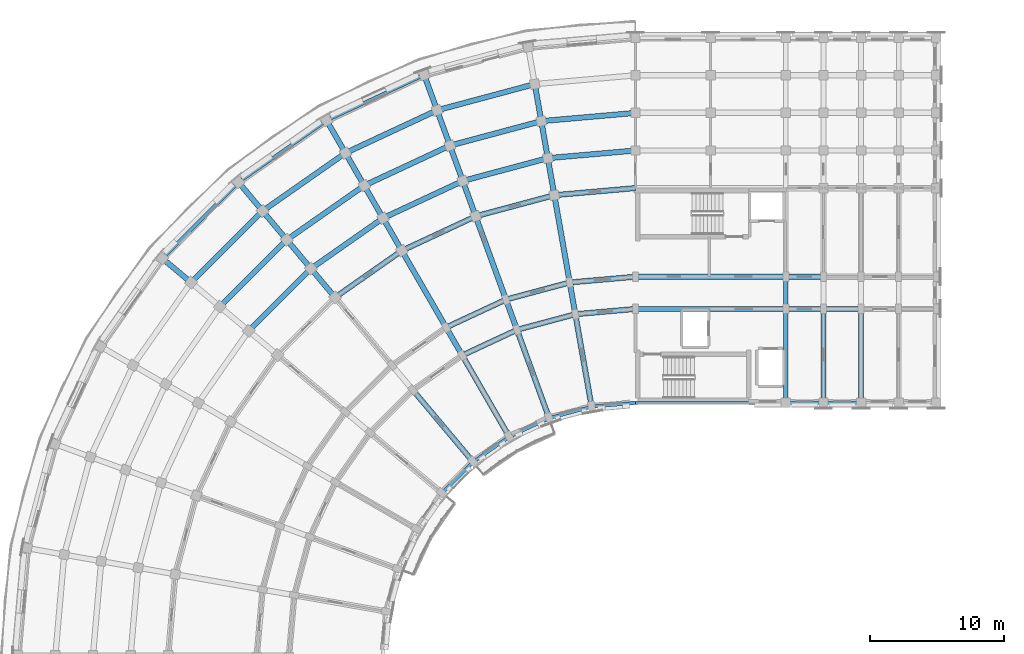
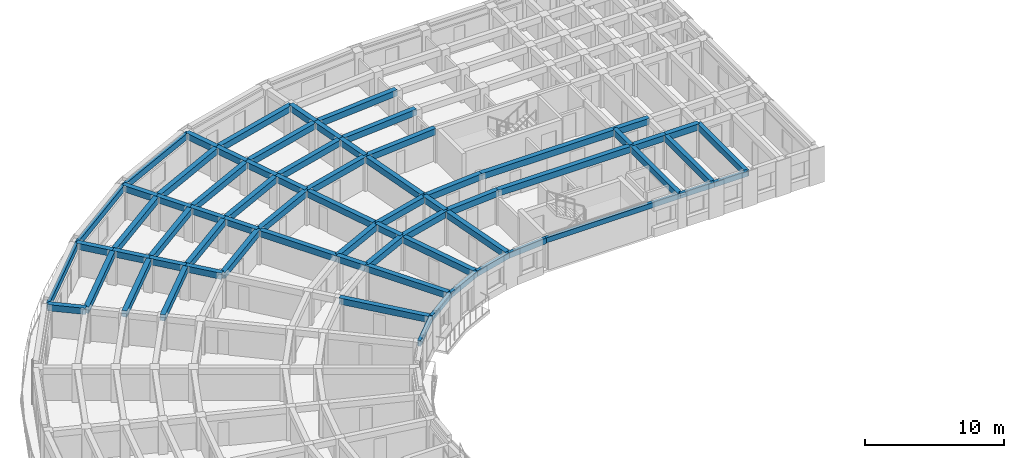
# One storey, part 9 of 57: 70 beams.
"""IFC4 building model written with IfcOpenShell, lengths in metres."""

from ifc_helpers import new_model, si_unit, direction, frame, origin, origin_2d, place, context, subcontext, project, spatial, rectangle, extrude, material, material_profile, profile_set, type_object, element, save


model = new_model("IFC4")

# Units and contexts
model_context = context("Model", 3, precision=1e-05, world=origin(), true_north=direction((0.0, 1.0)))
body_context = subcontext(model_context, "Body", "Model", "MODEL_VIEW")
ifc_project = project(units=[si_unit("LENGTHUNIT", "METRE"), si_unit("AREAUNIT", "SQUARE_METRE"), si_unit("VOLUMEUNIT", "CUBIC_METRE"), si_unit("PLANEANGLEUNIT", "RADIAN"), si_unit("MASSUNIT", "GRAM", prefix="KILO")], contexts=[model_context])

# Site, building, storey
site_placement = place(None, origin())
site = spatial("IfcSite", under=ifc_project, at=site_placement, CompositionType="ELEMENT")
building_placement = place(site_placement, origin())
building = spatial("IfcBuilding", under=site, at=building_placement, Name="Kiranvali Square Residences", CompositionType="ELEMENT")
storey_placement = place(building_placement, frame((0.0, 0.0, 18.14990234375)))
storey = spatial("IfcBuildingStorey", under=building, at=storey_placement, Name="L05", CompositionType="ELEMENT", Elevation=18.14990234375)

# Beams
ifc_material_1 = material(Name="Concrete M40 (40 MPa)", Category="concrete")
ifc_material_profile_1 = material_profile(ifc_material_1, rectangle(XDim=0.35009765625, YDim=0.550048828125, at=origin_2d()), Name="RC 350x550")
ifc_profile_set_1 = profile_set([ifc_material_profile_1], Name="Concrete M40 (40 MPa)")
beam_type_1 = type_object("IfcBeamType", Name="BM-M40-350x550", PredefinedType="BEAM", material=ifc_profile_set_1)
beam_1_placement = place(storey_placement, frame((59.39990234375, 106.60009765625, 2.655029296875), z_axis=(0.0, 1.0, 0.0), x_axis=(-1.0, 0.0, 0.0)))
element("IfcBeam", 1, at=beam_1_placement, inside=storey, type_object=beam_type_1, Name="L05 beam BM-A-L05-A1T1-01", PredefinedType="BEAM", context=body_context, shape_type="SweptSolid", body=[
    extrude(rectangle(XDim=0.35009765625, YDim=0.550048828125, at=origin_2d()), origin(), (0.0, 0.0, 1.0), 7.0),
])
beam_2_placement = place(storey_placement, frame((59.39990234375, 113.60009765625, 2.655029296875), z_axis=(0.0, 1.0, 0.0), x_axis=(-1.0, 0.0, 0.0)))
element("IfcBeam", 2, at=beam_2_placement, inside=storey, type_object=beam_type_1, Name="L05 beam BM-A-L05-A1T1-12", PredefinedType="BEAM", context=body_context, shape_type="SweptSolid", body=[
    extrude(rectangle(XDim=0.35009765625, YDim=0.550048828125, at=origin_2d()), origin(), (0.0, 0.0, 1.0), 2.39990234375),
])
for number, where, z_axis, x_axis, name in (
    (3, (62.199951171875, 106.60009765625, 2.655029296875), (0.0, 1.0, 0.0), (-1.0, 0.0, 0.0), "L05 beam BM-A-L05-A1T2-01"),
    (4, (65.0, 106.60009765625, 2.655029296875), (0.0, 1.0, 0.0), (-1.0, 0.0, 0.0), "L05 beam BM-A-L05-A1T3-01"),
):
    element("IfcBeam", number, at=place(storey_placement, frame(where, z_axis=z_axis, x_axis=x_axis)), inside=storey, type_object=beam_type_1, Name=name, PredefinedType="BEAM", context=body_context, shape_type="SweptSolid", body=[
        extrude(rectangle(XDim=0.35009765625, YDim=0.550048828125, at=origin_2d()), origin(), (0.0, 0.0, 1.0), 7.0),
    ])
ifc_material_2 = material(Name="Concrete M45 (45 MPa)", Category="concrete")
ifc_material_profile_2 = material_profile(ifc_material_2, rectangle(XDim=0.39990234375, YDim=0.550048828125, at=origin_2d()), Name="RC 400x550")
ifc_profile_set_2 = profile_set([ifc_material_profile_2], Name="Concrete M45 (45 MPa)")
beam_type_2 = type_object("IfcBeamType", Name="BM-M45-400x550", PredefinedType="BEAM", material=ifc_profile_set_2)
beam_3_placement = place(storey_placement, frame((48.199951171875, 113.60009765625, 2.655029296875), z_axis=(-0.996191949488, -0.087187153726, 0.0), x_axis=(0.087187153726, -0.996191949488, 0.0)))
element("IfcBeam", 5, at=beam_3_placement, inside=storey, type_object=beam_type_2, Name="L05 beam BM-A-L05-C00-R1", PredefinedType="BEAM", context=body_context, shape_type="SweptSolid", body=[
    extrude(rectangle(XDim=0.39990234375, YDim=0.550048828125, at=origin_2d()), origin(), (0.0, 0.0, 1.0), 4.4970703125),
])
beam_4_placement = place(storey_placement, frame((48.199951171875, 116.0, 2.655029296875), z_axis=(-0.996193663584, -0.087167566415, 0.0), x_axis=(0.087167566415, -0.996193663584, 0.0)))
element("IfcBeam", 6, at=beam_4_placement, inside=storey, type_object=beam_type_2, Name="L05 beam BM-A-L05-C00-R2", PredefinedType="BEAM", context=body_context, shape_type="SweptSolid", body=[
    extrude(rectangle(XDim=0.39990234375, YDim=0.550048828125, at=origin_2d()), origin(), (0.0, 0.0, 1.0), 4.91552734375),
])
beam_5_placement = place(storey_placement, frame((48.199951171875, 122.60009765625, 2.655029296875), z_axis=(-0.996193018494, -0.087174938512, 0.0), x_axis=(0.087174938512, -0.996193018494, 0.0)))
element("IfcBeam", 7, at=beam_5_placement, inside=storey, type_object=beam_type_2, Name="L05 beam BM-A-L05-C00-R3", PredefinedType="BEAM", context=body_context, shape_type="SweptSolid", body=[
    extrude(rectangle(XDim=0.39990234375, YDim=0.550048828125, at=origin_2d()), origin(), (0.0, 0.0, 1.0), 6.066162109375),
])
beam_6_placement = place(storey_placement, frame((48.199951171875, 125.39990234375, 2.655029296875), z_axis=(-0.996196991902, -0.0871295204, 0.0), x_axis=(0.0871295204, -0.996196991902, 0.0)))
element("IfcBeam", 8, at=beam_6_placement, inside=storey, type_object=beam_type_2, Name="L05 beam BM-A-L05-C00-R4", PredefinedType="BEAM", context=body_context, shape_type="SweptSolid", body=[
    extrude(rectangle(XDim=0.39990234375, YDim=0.550048828125, at=origin_2d()), origin(), (0.0, 0.0, 1.0), 6.553955078125),
])
beam_7_placement = place(storey_placement, frame((48.199951171875, 128.199951171875, 2.655029296875), z_axis=(-0.996194658198, -0.087156198737, 0.0), x_axis=(0.087156198737, -0.996194658198, 0.0)))
element("IfcBeam", 9, at=beam_7_placement, inside=storey, type_object=beam_type_2, Name="L05 beam BM-A-L05-C00-R5", PredefinedType="BEAM", context=body_context, shape_type="SweptSolid", body=[
    extrude(rectangle(XDim=0.39990234375, YDim=0.550048828125, at=origin_2d()), origin(), (0.0, 0.0, 1.0), 7.042236328125),
])
beam_8_placement = place(storey_placement, frame((43.719970703125, 113.2080078125, 2.655029296875), z_axis=(-0.965934240054, -0.258787642463, 0.0), x_axis=(0.258787642463, -0.965934240054, 0.0)))
element("IfcBeam", 10, at=beam_8_placement, inside=storey, type_object=beam_type_2, Name="L05 beam BM-A-L05-C01-R1", PredefinedType="BEAM", context=body_context, shape_type="SweptSolid", body=[
    extrude(rectangle(XDim=0.39990234375, YDim=0.550048828125, at=origin_2d()), origin(), (0.0, 0.0, 1.0), 4.497314453125),
])
beam_9_placement = place(storey_placement, frame((43.30322265625, 115.571533203125, 2.655029296875), z_axis=(-0.965930095386, -0.258803112091, 0.0), x_axis=(0.258803112091, -0.965930095386, 0.0)))
element("IfcBeam", 11, at=beam_9_placement, inside=storey, type_object=beam_type_2, Name="L05 beam BM-A-L05-C01-R2", PredefinedType="BEAM", context=body_context, shape_type="SweptSolid", body=[
    extrude(rectangle(XDim=0.39990234375, YDim=0.550048828125, at=origin_2d()), origin(), (0.0, 0.0, 1.0), 4.915771484375),
])
beam_10_placement = place(storey_placement, frame((42.156982421875, 122.0712890625, 2.655029296875), z_axis=(-0.965923618901, -0.258827283048, 0.0), x_axis=(0.258827283048, -0.965923618901, 0.0)))
element("IfcBeam", 12, at=beam_10_placement, inside=storey, type_object=beam_type_2, Name="L05 beam BM-A-L05-C01-R3", PredefinedType="BEAM", context=body_context, shape_type="SweptSolid", body=[
    extrude(rectangle(XDim=0.39990234375, YDim=0.550048828125, at=origin_2d()), origin(), (0.0, 0.0, 1.0), 6.066162109375),
])
beam_11_placement = place(storey_placement, frame((41.6708984375, 124.828857421875, 2.655029296875), z_axis=(-0.965918287583, -0.258847178297, 0.0), x_axis=(0.258847178297, -0.965918287583, 0.0)))
element("IfcBeam", 13, at=beam_11_placement, inside=storey, type_object=beam_type_2, Name="L05 beam BM-A-L05-C01-R4", PredefinedType="BEAM", context=body_context, shape_type="SweptSolid", body=[
    extrude(rectangle(XDim=0.39990234375, YDim=0.550048828125, at=origin_2d()), origin(), (0.0, 0.0, 1.0), 6.55419921875),
])
beam_12_placement = place(storey_placement, frame((41.1845703125, 127.586181640625, 2.655029296875), z_axis=(-0.965931029817, -0.258799624492, 0.0), x_axis=(0.258799624492, -0.965931029817, 0.0)))
element("IfcBeam", 14, at=beam_12_placement, inside=storey, type_object=beam_type_2, Name="L05 beam BM-A-L05-C01-R5", PredefinedType="BEAM", context=body_context, shape_type="SweptSolid", body=[
    extrude(rectangle(XDim=0.39990234375, YDim=0.550048828125, at=origin_2d()), origin(), (0.0, 0.0, 1.0), 7.042236328125),
])
beam_13_placement = place(storey_placement, frame((40.698486328125, 130.34375, 2.655029296875), z_axis=(-0.965925909693, -0.258818733833, 0.0), x_axis=(0.258818733833, -0.965925909693, 0.0)))
element("IfcBeam", 15, at=beam_13_placement, inside=storey, type_object=beam_type_2, Name="L05 beam BM-A-L05-C01-R6", PredefinedType="BEAM", context=body_context, shape_type="SweptSolid", body=[
    extrude(rectangle(XDim=0.39990234375, YDim=0.550048828125, at=origin_2d()), origin(), (0.0, 0.0, 1.0), 7.5302734375),
])
beam_14_placement = place(storey_placement, frame((39.3759765625, 112.044189453125, 2.655029296875), z_axis=(-0.906307919131, -0.422617978463, 0.0), x_axis=(0.422617978463, -0.906307919131, 0.0)))
element("IfcBeam", 16, at=beam_14_placement, inside=storey, type_object=beam_type_2, Name="L05 beam BM-A-L05-C02-R1", PredefinedType="BEAM", context=body_context, shape_type="SweptSolid", body=[
    extrude(rectangle(XDim=0.39990234375, YDim=0.550048828125, at=origin_2d()), origin(), (0.0, 0.0, 1.0), 4.497314453125),
])
beam_15_placement = place(storey_placement, frame((38.554931640625, 114.29931640625, 2.655029296875), z_axis=(-0.906302381024, -0.422629854778, 0.0), x_axis=(0.422629854778, -0.906302381024, 0.0)))
element("IfcBeam", 17, at=beam_15_placement, inside=storey, type_object=beam_type_2, Name="L05 beam BM-A-L05-C02-R2", PredefinedType="BEAM", context=body_context, shape_type="SweptSolid", body=[
    extrude(rectangle(XDim=0.39990234375, YDim=0.550048828125, at=origin_2d()), origin(), (0.0, 0.0, 1.0), 4.915283203125),
])
beam_16_placement = place(storey_placement, frame((36.297607421875, 120.501220703125, 2.655029296875), z_axis=(-0.906312656069, -0.42260781991, 0.0), x_axis=(0.42260781991, -0.906312656069, 0.0)))
element("IfcBeam", 18, at=beam_16_placement, inside=storey, type_object=beam_type_2, Name="L05 beam BM-A-L05-C02-R3", PredefinedType="BEAM", context=body_context, shape_type="SweptSolid", body=[
    extrude(rectangle(XDim=0.39990234375, YDim=0.550048828125, at=origin_2d()), origin(), (0.0, 0.0, 1.0), 6.06591796875),
])
beam_17_placement = place(storey_placement, frame((35.340087890625, 123.13232421875, 2.655029296875), z_axis=(-0.906318225223, -0.422595876255, 0.0), x_axis=(0.422595876255, -0.906318225223, 0.0)))
element("IfcBeam", 19, at=beam_17_placement, inside=storey, type_object=beam_type_2, Name="L05 beam BM-A-L05-C02-R4", PredefinedType="BEAM", context=body_context, shape_type="SweptSolid", body=[
    extrude(rectangle(XDim=0.39990234375, YDim=0.550048828125, at=origin_2d()), origin(), (0.0, 0.0, 1.0), 6.55419921875),
])
beam_18_placement = place(storey_placement, frame((34.38232421875, 125.763671875, 2.655029296875), z_axis=(-0.906297360311, -0.422640621205, 0.0), x_axis=(0.422640621205, -0.906297360311, 0.0)))
element("IfcBeam", 20, at=beam_18_placement, inside=storey, type_object=beam_type_2, Name="L05 beam BM-A-L05-C02-R5", PredefinedType="BEAM", context=body_context, shape_type="SweptSolid", body=[
    extrude(rectangle(XDim=0.39990234375, YDim=0.550048828125, at=origin_2d()), origin(), (0.0, 0.0, 1.0), 7.042236328125),
])
beam_19_placement = place(storey_placement, frame((33.4248046875, 128.394775390625, 2.655029296875), z_axis=(-0.90630982703, -0.422613886933, 0.0), x_axis=(0.422613886933, -0.90630982703, 0.0)))
element("IfcBeam", 21, at=beam_19_placement, inside=storey, type_object=beam_type_2, Name="L05 beam BM-A-L05-C02-R6", PredefinedType="BEAM", context=body_context, shape_type="SweptSolid", body=[
    extrude(rectangle(XDim=0.39990234375, YDim=0.550048828125, at=origin_2d()), origin(), (0.0, 0.0, 1.0), 7.5302734375),
])
beam_20_placement = place(storey_placement, frame((30.800048828125, 117.937744140625, 2.655029296875), z_axis=(-0.81913926159, -0.573594691504, 0.0), x_axis=(0.573594691504, -0.81913926159, 0.0)))
element("IfcBeam", 22, at=beam_20_placement, inside=storey, type_object=beam_type_2, Name="L05 beam BM-A-L05-C03-R3", PredefinedType="BEAM", context=body_context, shape_type="SweptSolid", body=[
    extrude(rectangle(XDim=0.39990234375, YDim=0.550048828125, at=origin_2d()), origin(), (0.0, 0.0, 1.0), 6.066162109375),
])
beam_21_placement = place(storey_placement, frame((29.39990234375, 120.362548828125, 2.655029296875), z_axis=(-0.819144409176, -0.573587340268, 0.0), x_axis=(0.573587340268, -0.819144409176, 0.0)))
element("IfcBeam", 23, at=beam_21_placement, inside=storey, type_object=beam_type_2, Name="L05 beam BM-A-L05-C03-R4", PredefinedType="BEAM", context=body_context, shape_type="SweptSolid", body=[
    extrude(rectangle(XDim=0.39990234375, YDim=0.550048828125, at=origin_2d()), origin(), (0.0, 0.0, 1.0), 6.553955078125),
])
beam_22_placement = place(storey_placement, frame((28.0, 122.787353515625, 2.655029296875), z_axis=(-0.819160249246, -0.57356471828, 0.0), x_axis=(0.57356471828, -0.819160249246, 0.0)))
element("IfcBeam", 24, at=beam_22_placement, inside=storey, type_object=beam_type_2, Name="L05 beam BM-A-L05-C03-R5", PredefinedType="BEAM", context=body_context, shape_type="SweptSolid", body=[
    extrude(rectangle(XDim=0.39990234375, YDim=0.550048828125, at=origin_2d()), origin(), (0.0, 0.0, 1.0), 7.0419921875),
])
beam_23_placement = place(storey_placement, frame((26.60009765625, 125.21240234375, 2.655029296875), z_axis=(-0.819143569597, -0.573588539275, 0.0), x_axis=(0.573588539275, -0.819143569597, 0.0)))
element("IfcBeam", 25, at=beam_23_placement, inside=storey, type_object=beam_type_2, Name="L05 beam BM-A-L05-C03-R6", PredefinedType="BEAM", context=body_context, shape_type="SweptSolid", body=[
    extrude(rectangle(XDim=0.39990234375, YDim=0.550048828125, at=origin_2d()), origin(), (0.0, 0.0, 1.0), 7.5302734375),
])
beam_24_placement = place(storey_placement, frame((24.03125, 116.603271484375, 2.655029296875), z_axis=(-0.707106781187, -0.707106781187, 0.0), x_axis=(0.707106781187, -0.707106781187, 0.0)))
element("IfcBeam", 26, at=beam_24_placement, inside=storey, type_object=beam_type_2, Name="L05 beam BM-A-L05-C04-R4", PredefinedType="BEAM", context=body_context, shape_type="SweptSolid", body=[
    extrude(rectangle(XDim=0.39990234375, YDim=0.550048828125, at=origin_2d()), origin(), (0.0, 0.0, 1.0), 6.55419921875),
])
beam_25_placement = place(storey_placement, frame((22.2314453125, 118.748291015625, 2.655029296875), z_axis=(-0.707106781187, -0.707106781187, 0.0), x_axis=(0.707106781187, -0.707106781187, 0.0)))
element("IfcBeam", 27, at=beam_25_placement, inside=storey, type_object=beam_type_2, Name="L05 beam BM-A-L05-C04-R5", PredefinedType="BEAM", context=body_context, shape_type="SweptSolid", body=[
    extrude(rectangle(XDim=0.39990234375, YDim=0.550048828125, at=origin_2d()), origin(), (0.0, 0.0, 1.0), 7.04248046875),
])
beam_26_placement = place(storey_placement, frame((20.431640625, 120.89306640625, 2.655029296875), z_axis=(-0.707106781187, -0.707106781187, 0.0), x_axis=(0.707106781187, -0.707106781187, 0.0)))
element("IfcBeam", 28, at=beam_26_placement, inside=storey, type_object=beam_type_2, Name="L05 beam BM-A-L05-C04-R6", PredefinedType="BEAM", context=body_context, shape_type="SweptSolid", body=[
    extrude(rectangle(XDim=0.39990234375, YDim=0.550048828125, at=origin_2d()), origin(), (0.0, 0.0, 1.0), 7.5302734375),
])
beam_27_placement = place(storey_placement, frame((44.935302734375, 106.314453125, 2.655029296875), z_axis=(-0.173622177865, 0.984812337125, 0.0), x_axis=(-0.984812337125, -0.173622177865, 0.0)))
element("IfcBeam", 29, at=beam_27_placement, inside=storey, type_object=beam_type_2, Name="L05 beam BM-A-L05-RAD01-01", PredefinedType="BEAM", context=body_context, shape_type="SweptSolid", body=[
    extrude(rectangle(XDim=0.39990234375, YDim=0.550048828125, at=origin_2d()), origin(), (0.0, 0.0, 1.0), 6.999755859375),
])
beam_28_placement = place(storey_placement, frame((43.719970703125, 113.2080078125, 2.655029296875), z_axis=(-0.173646056486, 0.984808127031, 0.0), x_axis=(-0.984808127031, -0.173646056486, 0.0)))
element("IfcBeam", 30, at=beam_28_placement, inside=storey, type_object=beam_type_2, Name="L05 beam BM-A-L05-RAD01-12", PredefinedType="BEAM", context=body_context, shape_type="SweptSolid", body=[
    extrude(rectangle(XDim=0.39990234375, YDim=0.550048828125, at=origin_2d()), origin(), (0.0, 0.0, 1.0), 2.39990234375),
])
beam_29_placement = place(storey_placement, frame((43.30322265625, 115.571533203125, 2.655029296875), z_axis=(-0.173671381499, 0.984803661269, 0.0), x_axis=(-0.984803661269, -0.173671381499, 0.0)))
element("IfcBeam", 31, at=beam_29_placement, inside=storey, type_object=beam_type_2, Name="L05 beam BM-A-L05-RAD01-23", PredefinedType="BEAM", context=body_context, shape_type="SweptSolid", body=[
    extrude(rectangle(XDim=0.39990234375, YDim=0.550048828125, at=origin_2d()), origin(), (0.0, 0.0, 1.0), 6.60009765625),
])
beam_30_placement = place(storey_placement, frame((42.156982421875, 122.0712890625, 2.655029296875), z_axis=(-0.173596320392, 0.984816895441, 0.0), x_axis=(-0.984816895441, -0.173596320392, 0.0)))
element("IfcBeam", 32, at=beam_30_placement, inside=storey, type_object=beam_type_2, Name="L05 beam BM-A-L05-RAD01-34", PredefinedType="BEAM", context=body_context, shape_type="SweptSolid", body=[
    extrude(rectangle(XDim=0.39990234375, YDim=0.550048828125, at=origin_2d()), origin(), (0.0, 0.0, 1.0), 2.800048828125),
])
beam_31_placement = place(storey_placement, frame((41.6708984375, 124.828857421875, 2.655029296875), z_axis=(-0.173695795656, 0.984799355489, 0.0), x_axis=(-0.984799355489, -0.173695795656, 0.0)))
element("IfcBeam", 33, at=beam_31_placement, inside=storey, type_object=beam_type_2, Name="L05 beam BM-A-L05-RAD01-45", PredefinedType="BEAM", context=body_context, shape_type="SweptSolid", body=[
    extrude(rectangle(XDim=0.39990234375, YDim=0.550048828125, at=origin_2d()), origin(), (0.0, 0.0, 1.0), 2.7998046875),
])
beam_32_placement = place(storey_placement, frame((41.1845703125, 127.586181640625, 2.655029296875), z_axis=(-0.173596320392, 0.984816895441, 0.0), x_axis=(-0.984816895441, -0.173596320392, 0.0)))
element("IfcBeam", 34, at=beam_32_placement, inside=storey, type_object=beam_type_2, Name="L05 beam BM-A-L05-RAD01-56", PredefinedType="BEAM", context=body_context, shape_type="SweptSolid", body=[
    extrude(rectangle(XDim=0.39990234375, YDim=0.550048828125, at=origin_2d()), origin(), (0.0, 0.0, 1.0), 2.800048828125),
])
beam_33_placement = place(storey_placement, frame((41.77001953125, 105.46630859375, 2.655029296875), z_axis=(-0.342006283793, 0.939697665127, 0.0), x_axis=(-0.939697665127, -0.342006283793, 0.0)))
element("IfcBeam", 35, at=beam_33_placement, inside=storey, type_object=beam_type_2, Name="L05 beam BM-A-L05-RAD02-01", PredefinedType="BEAM", context=body_context, shape_type="SweptSolid", body=[
    extrude(rectangle(XDim=0.39990234375, YDim=0.550048828125, at=origin_2d()), origin(), (0.0, 0.0, 1.0), 7.0),
])
beam_34_placement = place(storey_placement, frame((39.3759765625, 112.044189453125, 2.655029296875), z_axis=(-0.342110593602, 0.939659694648, 0.0), x_axis=(-0.939659694648, -0.342110593602, 0.0)))
element("IfcBeam", 36, at=beam_34_placement, inside=storey, type_object=beam_type_2, Name="L05 beam BM-A-L05-RAD02-12", PredefinedType="BEAM", context=body_context, shape_type="SweptSolid", body=[
    extrude(rectangle(XDim=0.39990234375, YDim=0.550048828125, at=origin_2d()), origin(), (0.0, 0.0, 1.0), 2.39990234375),
])
beam_35_placement = place(storey_placement, frame((38.554931640625, 114.29931640625, 2.655029296875), z_axis=(-0.342022238372, 0.939691858249, 0.0), x_axis=(-0.939691858249, -0.342022238372, 0.0)))
element("IfcBeam", 37, at=beam_35_placement, inside=storey, type_object=beam_type_2, Name="L05 beam BM-A-L05-RAD02-23", PredefinedType="BEAM", context=body_context, shape_type="SweptSolid", body=[
    extrude(rectangle(XDim=0.39990234375, YDim=0.550048828125, at=origin_2d()), origin(), (0.0, 0.0, 1.0), 6.599853515625),
])
beam_36_placement = place(storey_placement, frame((36.297607421875, 120.501220703125, 2.655029296875), z_axis=(-0.341981089711, 0.93970683422, 0.0), x_axis=(-0.93970683422, -0.341981089711, 0.0)))
element("IfcBeam", 38, at=beam_36_placement, inside=storey, type_object=beam_type_2, Name="L05 beam BM-A-L05-RAD02-34", PredefinedType="BEAM", context=body_context, shape_type="SweptSolid", body=[
    extrude(rectangle(XDim=0.39990234375, YDim=0.550048828125, at=origin_2d()), origin(), (0.0, 0.0, 1.0), 2.7998046875),
])
beam_37_placement = place(storey_placement, frame((35.340087890625, 123.13232421875, 2.655029296875), z_axis=(-0.342030060398, 0.939689011208, 0.0), x_axis=(-0.939689011208, -0.342030060398, 0.0)))
element("IfcBeam", 39, at=beam_37_placement, inside=storey, type_object=beam_type_2, Name="L05 beam BM-A-L05-RAD02-45", PredefinedType="BEAM", context=body_context, shape_type="SweptSolid", body=[
    extrude(rectangle(XDim=0.39990234375, YDim=0.550048828125, at=origin_2d()), origin(), (0.0, 0.0, 1.0), 2.80029296875),
])
beam_38_placement = place(storey_placement, frame((34.38232421875, 125.763671875, 2.655029296875), z_axis=(-0.341981089711, 0.93970683422, 0.0), x_axis=(-0.93970683422, -0.341981089711, 0.0)))
element("IfcBeam", 40, at=beam_38_placement, inside=storey, type_object=beam_type_2, Name="L05 beam BM-A-L05-RAD02-56", PredefinedType="BEAM", context=body_context, shape_type="SweptSolid", body=[
    extrude(rectangle(XDim=0.39990234375, YDim=0.550048828125, at=origin_2d()), origin(), (0.0, 0.0, 1.0), 2.7998046875),
])
beam_39_placement = place(storey_placement, frame((33.4248046875, 128.394775390625, 2.655029296875), z_axis=(-0.342058084236, 0.939678810556, 0.0), x_axis=(-0.939678810556, -0.342058084236, 0.0)))
element("IfcBeam", 41, at=beam_39_placement, inside=storey, type_object=beam_type_2, Name="L05 beam BM-A-L05-RAD02-67", PredefinedType="BEAM", context=body_context, shape_type="SweptSolid", body=[
    extrude(rectangle(XDim=0.39990234375, YDim=0.550048828125, at=origin_2d()), origin(), (0.0, 0.0, 1.0), 2.800048828125),
])
beam_40_placement = place(storey_placement, frame((38.800048828125, 104.081298828125, 2.655029296875), z_axis=(-0.499995173006, 0.866028190633, 0.0), x_axis=(-0.866028190633, -0.499995173006, 0.0)))
element("IfcBeam", 42, at=beam_40_placement, inside=storey, type_object=beam_type_2, Name="L05 beam BM-A-L05-RAD03-01", PredefinedType="BEAM", context=body_context, shape_type="SweptSolid", body=[
    extrude(rectangle(XDim=0.39990234375, YDim=0.550048828125, at=origin_2d()), origin(), (0.0, 0.0, 1.0), 7.0),
])
beam_41_placement = place(storey_placement, frame((35.300048828125, 110.1435546875, 2.655029296875), z_axis=(-0.500001309137, 0.866024647952, 0.0), x_axis=(-0.866024647952, -0.500001309137, 0.0)))
element("IfcBeam", 43, at=beam_41_placement, inside=storey, type_object=beam_type_2, Name="L05 beam BM-A-L05-RAD03-12", PredefinedType="BEAM", context=body_context, shape_type="SweptSolid", body=[
    extrude(rectangle(XDim=0.39990234375, YDim=0.550048828125, at=origin_2d()), origin(), (0.0, 0.0, 1.0), 2.39990234375),
])
beam_42_placement = place(storey_placement, frame((34.10009765625, 112.221923828125, 2.655029296875), z_axis=(-0.500002094529, 0.866024194504, 0.0), x_axis=(-0.866024194504, -0.500002094529, 0.0)))
element("IfcBeam", 44, at=beam_42_placement, inside=storey, type_object=beam_type_2, Name="L05 beam BM-A-L05-RAD03-23", PredefinedType="BEAM", context=body_context, shape_type="SweptSolid", body=[
    extrude(rectangle(XDim=0.39990234375, YDim=0.550048828125, at=origin_2d()), origin(), (0.0, 0.0, 1.0), 6.60009765625),
])
beam_43_placement = place(storey_placement, frame((30.800048828125, 117.937744140625, 2.655029296875), z_axis=(-0.500049511043, 0.865996816683, 0.0), x_axis=(-0.865996816683, -0.500049511043, 0.0)))
element("IfcBeam", 45, at=beam_43_placement, inside=storey, type_object=beam_type_2, Name="L05 beam BM-A-L05-RAD03-34", PredefinedType="BEAM", context=body_context, shape_type="SweptSolid", body=[
    extrude(rectangle(XDim=0.39990234375, YDim=0.550048828125, at=origin_2d()), origin(), (0.0, 0.0, 1.0), 2.800048828125),
])
beam_44_placement = place(storey_placement, frame((29.39990234375, 120.362548828125, 2.655029296875), z_axis=(-0.49998411664, 0.866034573852, 0.0), x_axis=(-0.866034573852, -0.49998411664, 0.0)))
element("IfcBeam", 46, at=beam_44_placement, inside=storey, type_object=beam_type_2, Name="L05 beam BM-A-L05-RAD03-45", PredefinedType="BEAM", context=body_context, shape_type="SweptSolid", body=[
    extrude(rectangle(XDim=0.39990234375, YDim=0.550048828125, at=origin_2d()), origin(), (0.0, 0.0, 1.0), 2.7998046875),
])
for number, where, z_axis, x_axis, name in (
    (47, (28.0, 122.787353515625, 2.655029296875), (-0.49994636267, 0.866056369097, 0.0), (-0.866056369097, -0.49994636267, 0.0), "L05 beam BM-A-L05-RAD03-56"),
    (48, (26.60009765625, 125.21240234375, 2.655029296875), (-0.500049511043, 0.865996816683, 0.0), (-0.865996816683, -0.500049511043, 0.0), "L05 beam BM-A-L05-RAD03-67"),
):
    element("IfcBeam", number, at=place(storey_placement, frame(where, z_axis=z_axis, x_axis=x_axis)), inside=storey, type_object=beam_type_2, Name=name, PredefinedType="BEAM", context=body_context, shape_type="SweptSolid", body=[
        extrude(rectangle(XDim=0.39990234375, YDim=0.550048828125, at=origin_2d()), origin(), (0.0, 0.0, 1.0), 2.800048828125),
    ])
beam_45_placement = place(storey_placement, frame((36.115478515625, 102.20166015625, 2.655029296875), z_axis=(-0.642787931032, 0.766044173478, 0.0), x_axis=(-0.766044173478, -0.642787931032, 0.0)))
element("IfcBeam", 49, at=beam_45_placement, inside=storey, type_object=beam_type_2, Name="L05 beam BM-A-L05-RAD04-01", PredefinedType="BEAM", context=body_context, shape_type="SweptSolid", body=[
    extrude(rectangle(XDim=0.39990234375, YDim=0.550048828125, at=origin_2d()), origin(), (0.0, 0.0, 1.0), 7.0),
])
for number, where, z_axis, x_axis, name in (
    (50, (25.8310546875, 114.458251953125, 2.655029296875), (-0.642770757628, 0.766058583359, 0.0), (-0.766058583359, -0.642770757628, 0.0), "L05 beam BM-A-L05-RAD04-34"),
    (51, (24.03125, 116.603271484375, 2.655029296875), (-0.642770757628, 0.766058583359, 0.0), (-0.766058583359, -0.642770757628, 0.0), "L05 beam BM-A-L05-RAD04-45"),
):
    element("IfcBeam", number, at=place(storey_placement, frame(where, z_axis=z_axis, x_axis=x_axis)), inside=storey, type_object=beam_type_2, Name=name, PredefinedType="BEAM", context=body_context, shape_type="SweptSolid", body=[
        extrude(rectangle(XDim=0.39990234375, YDim=0.550048828125, at=origin_2d()), origin(), (0.0, 0.0, 1.0), 2.800048828125),
    ])
beam_46_placement = place(storey_placement, frame((22.2314453125, 118.748291015625, 2.655029296875), z_axis=(-0.642813692253, 0.76602255649, 0.0), x_axis=(-0.76602255649, -0.642813692253, 0.0)))
element("IfcBeam", 52, at=beam_46_placement, inside=storey, type_object=beam_type_2, Name="L05 beam BM-A-L05-RAD04-56", PredefinedType="BEAM", context=body_context, shape_type="SweptSolid", body=[
    extrude(rectangle(XDim=0.39990234375, YDim=0.550048828125, at=origin_2d()), origin(), (0.0, 0.0, 1.0), 2.7998046875),
])
for number, where, z_axis, x_axis, name in (
    (53, (20.431640625, 120.89306640625, 2.655029296875), (-0.642770757628, 0.766058583359, 0.0), (-0.766058583359, -0.642770757628, 0.0), "L05 beam BM-A-L05-RAD04-67"),
    (54, (15.10693359375, 115.568359375, 2.655029296875), (-0.766058583359, 0.642770757628, 0.0), (-0.642770757628, -0.766058583359, 0.0), "L05 beam BM-A-L05-RAD05-67"),
):
    element("IfcBeam", number, at=place(storey_placement, frame(where, z_axis=z_axis, x_axis=x_axis)), inside=storey, type_object=beam_type_2, Name=name, PredefinedType="BEAM", context=body_context, shape_type="SweptSolid", body=[
        extrude(rectangle(XDim=0.39990234375, YDim=0.550048828125, at=origin_2d()), origin(), (0.0, 0.0, 1.0), 2.800048828125),
    ])
beam_47_placement = place(storey_placement, frame((48.199951171875, 113.60009765625, 2.655029296875), z_axis=(1.0, 0.0, 0.0), x_axis=(0.0, 1.0, 0.0)))
element("IfcBeam", 55, at=beam_47_placement, inside=storey, type_object=beam_type_2, Name="L05 beam BM-A-L05-A1U0-R1", PredefinedType="BEAM", context=body_context, shape_type="SweptSolid", body=[
    extrude(rectangle(XDim=0.39990234375, YDim=0.550048828125, at=origin_2d()), origin(), (0.0, 0.0, 1.0), 11.199951171875),
])
for number, where, z_axis, x_axis, name in (
    (56, (59.39990234375, 113.60009765625, 2.655029296875), (1.0, 0.0, 0.0), (0.0, 1.0, 0.0), "L05 beam BM-A-L05-A1U1-R1"),
    (57, (62.199951171875, 113.60009765625, 2.655029296875), (1.0, 0.0, 0.0), (0.0, 1.0, 0.0), "L05 beam BM-A-L05-A1U2-R1"),
):
    element("IfcBeam", number, at=place(storey_placement, frame(where, z_axis=z_axis, x_axis=x_axis)), inside=storey, type_object=beam_type_2, Name=name, PredefinedType="BEAM", context=body_context, shape_type="SweptSolid", body=[
        extrude(rectangle(XDim=0.39990234375, YDim=0.550048828125, at=origin_2d()), origin(), (0.0, 0.0, 1.0), 2.800048828125),
    ])
beam_48_placement = place(storey_placement, frame((48.199951171875, 116.0, 2.655029296875), z_axis=(1.0, 0.0, 0.0), x_axis=(0.0, 1.0, 0.0)))
element("IfcBeam", 58, at=beam_48_placement, inside=storey, type_object=beam_type_2, Name="L05 beam BM-A-L05-A1U0-R2", PredefinedType="BEAM", context=body_context, shape_type="SweptSolid", body=[
    extrude(rectangle(XDim=0.39990234375, YDim=0.550048828125, at=origin_2d()), origin(), (0.0, 0.0, 1.0), 11.199951171875),
])
beam_49_placement = place(storey_placement, frame((59.39990234375, 116.0, 2.655029296875), z_axis=(1.0, 0.0, 0.0), x_axis=(0.0, 1.0, 0.0)))
element("IfcBeam", 59, at=beam_49_placement, inside=storey, type_object=beam_type_2, Name="L05 beam BM-A-L05-A1U1-R2", PredefinedType="BEAM", context=body_context, shape_type="SweptSolid", body=[
    extrude(rectangle(XDim=0.39990234375, YDim=0.550048828125, at=origin_2d()), origin(), (0.0, 0.0, 1.0), 2.800048828125),
])
ifc_material_profile_3 = material_profile(ifc_material_1, rectangle(XDim=0.25, YDim=0.449951171875, at=origin_2d()), Name="RC 250x450")
ifc_profile_set_3 = profile_set([ifc_material_profile_3], Name="Concrete M40 (40 MPa)")
beam_type_3 = type_object("IfcBeamType", Name="SPN-M40-250x450", PredefinedType="SPANDREL", material=ifc_profile_set_3)
beam_50_placement = place(storey_placement, frame((48.199951171875, 106.60009765625, 2.705078125), z_axis=(1.0, 0.0, 0.0), x_axis=(0.0, 1.0, 0.0)))
element("IfcBeam", 60, at=beam_50_placement, inside=storey, type_object=beam_type_3, Name="L05 beam BM-A-L05-A1U0-R0", PredefinedType="SPANDREL", context=body_context, shape_type="SweptSolid", body=[
    extrude(rectangle(XDim=0.25, YDim=0.449951171875, at=origin_2d()), origin(), (0.0, 0.0, 1.0), 11.199951171875),
])
for number, where, z_axis, x_axis, name in (
    (61, (59.39990234375, 106.60009765625, 2.705078125), (1.0, 0.0, 0.0), (0.0, 1.0, 0.0), "L05 beam BM-A-L05-A1U1-R0"),
    (62, (62.199951171875, 106.60009765625, 2.705078125), (1.0, 0.0, 0.0), (0.0, 1.0, 0.0), "L05 beam BM-A-L05-A1U2-R0"),
):
    element("IfcBeam", number, at=place(storey_placement, frame(where, z_axis=z_axis, x_axis=x_axis)), inside=storey, type_object=beam_type_3, Name=name, PredefinedType="SPANDREL", context=body_context, shape_type="SweptSolid", body=[
        extrude(rectangle(XDim=0.25, YDim=0.449951171875, at=origin_2d()), origin(), (0.0, 0.0, 1.0), 2.800048828125),
    ])
ifc_material_profile_4 = material_profile(ifc_material_1, rectangle(XDim=0.25, YDim=0.5, at=origin_2d()), Name="RC 250x500")
ifc_profile_set_4 = profile_set([ifc_material_profile_4], Name="Concrete M40 (40 MPa)")
beam_type_4 = type_object("IfcBeamType", Name="SPN-M40-250x500", PredefinedType="SPANDREL", material=ifc_profile_set_4)
beam_51_placement = place(storey_placement, frame((48.199951171875, 106.60009765625, 2.68017578125), z_axis=(-0.996194040944, -0.087163253657, 0.0), x_axis=(0.087163253657, -0.996194040944, 0.0)))
element("IfcBeam", 63, at=beam_51_placement, inside=storey, type_object=beam_type_4, Name="L05 beam BM-A-L05-C00-R0", PredefinedType="SPANDREL", context=body_context, shape_type="SweptSolid", body=[
    extrude(rectangle(XDim=0.25, YDim=0.5, at=origin_2d()), origin(), (0.0, 0.0, 1.0), 3.277099609375),
])
beam_52_placement = place(storey_placement, frame((44.935302734375, 106.314453125, 2.68017578125), z_axis=(-0.965925105099, -0.258821736607, 0.0), x_axis=(0.258821736607, -0.965925105099, 0.0)))
element("IfcBeam", 64, at=beam_52_placement, inside=storey, type_object=beam_type_4, Name="L05 beam BM-A-L05-C01-R0", PredefinedType="SPANDREL", context=body_context, shape_type="SweptSolid", body=[
    extrude(rectangle(XDim=0.25, YDim=0.5, at=origin_2d()), origin(), (0.0, 0.0, 1.0), 3.27685546875),
])
for number, where, z_axis, x_axis, name in (
    (65, (41.77001953125, 105.46630859375, 2.68017578125), (-0.90629730464, -0.422640740585, 0.0), (0.422640740585, -0.90629730464, 0.0), "L05 beam BM-A-L05-C02-R0"),
    (66, (38.800048828125, 104.081298828125, 2.68017578125), (-0.81916891812, -0.573552337269, 0.0), (0.573552337269, -0.81916891812, 0.0), "L05 beam BM-A-L05-C03-R0"),
):
    element("IfcBeam", number, at=place(storey_placement, frame(where, z_axis=z_axis, x_axis=x_axis)), inside=storey, type_object=beam_type_4, Name=name, PredefinedType="SPANDREL", context=body_context, shape_type="SweptSolid", body=[
        extrude(rectangle(XDim=0.25, YDim=0.5, at=origin_2d()), origin(), (0.0, 0.0, 1.0), 3.277099609375),
    ])
beam_53_placement = place(storey_placement, frame((36.115478515625, 102.20166015625, 2.68017578125), z_axis=(-0.707106781187, -0.707106781187, 0.0), x_axis=(0.707106781187, -0.707106781187, 0.0)))
element("IfcBeam", 67, at=beam_53_placement, inside=storey, type_object=beam_type_4, Name="L05 beam BM-A-L05-C04-R0", PredefinedType="SPANDREL", context=body_context, shape_type="SweptSolid", body=[
    extrude(rectangle(XDim=0.25, YDim=0.5, at=origin_2d()), origin(), (0.0, 0.0, 1.0), 3.27685546875),
])
ifc_material_profile_5 = material_profile(ifc_material_1, rectangle(XDim=0.25, YDim=0.550048828125, at=origin_2d()), Name="RC 250x550")
ifc_profile_set_5 = profile_set([ifc_material_profile_5], Name="Concrete M40 (40 MPa)")
beam_type_5 = type_object("IfcBeamType", Name="SPN-M40-250x550", PredefinedType="SPANDREL", material=ifc_profile_set_5)
for number, where, z_axis, x_axis, name in (
    (68, (32.467041015625, 131.02587890625, 2.655029296875), (-0.906309113636, -0.422615416827, 0.0), (0.422615416827, -0.906309113636, 0.0), "L05 beam BM-A-L05-C02-R7"),
    (69, (25.199951171875, 127.63720703125, 2.655029296875), (-0.819147515001, -0.573582904791, 0.0), (0.573582904791, -0.819147515001, 0.0), "L05 beam BM-A-L05-C03-R7"),
):
    element("IfcBeam", number, at=place(storey_placement, frame(where, z_axis=z_axis, x_axis=x_axis)), inside=storey, type_object=beam_type_5, Name=name, PredefinedType="SPANDREL", context=body_context, shape_type="SweptSolid", body=[
        extrude(rectangle(XDim=0.25, YDim=0.550048828125, at=origin_2d()), origin(), (0.0, 0.0, 1.0), 8.018310546875),
    ])
beam_54_placement = place(storey_placement, frame((18.6318359375, 123.0380859375, 2.655029296875), z_axis=(-0.707106781187, -0.707106781187, 0.0), x_axis=(0.707106781187, -0.707106781187, 0.0)))
element("IfcBeam", 70, at=beam_54_placement, inside=storey, type_object=beam_type_5, Name="L05 beam BM-A-L05-C04-R7", PredefinedType="SPANDREL", context=body_context, shape_type="SweptSolid", body=[
    extrude(rectangle(XDim=0.25, YDim=0.550048828125, at=origin_2d()), origin(), (0.0, 0.0, 1.0), 8.0185546875),
])

save(model, "model.ifc")
